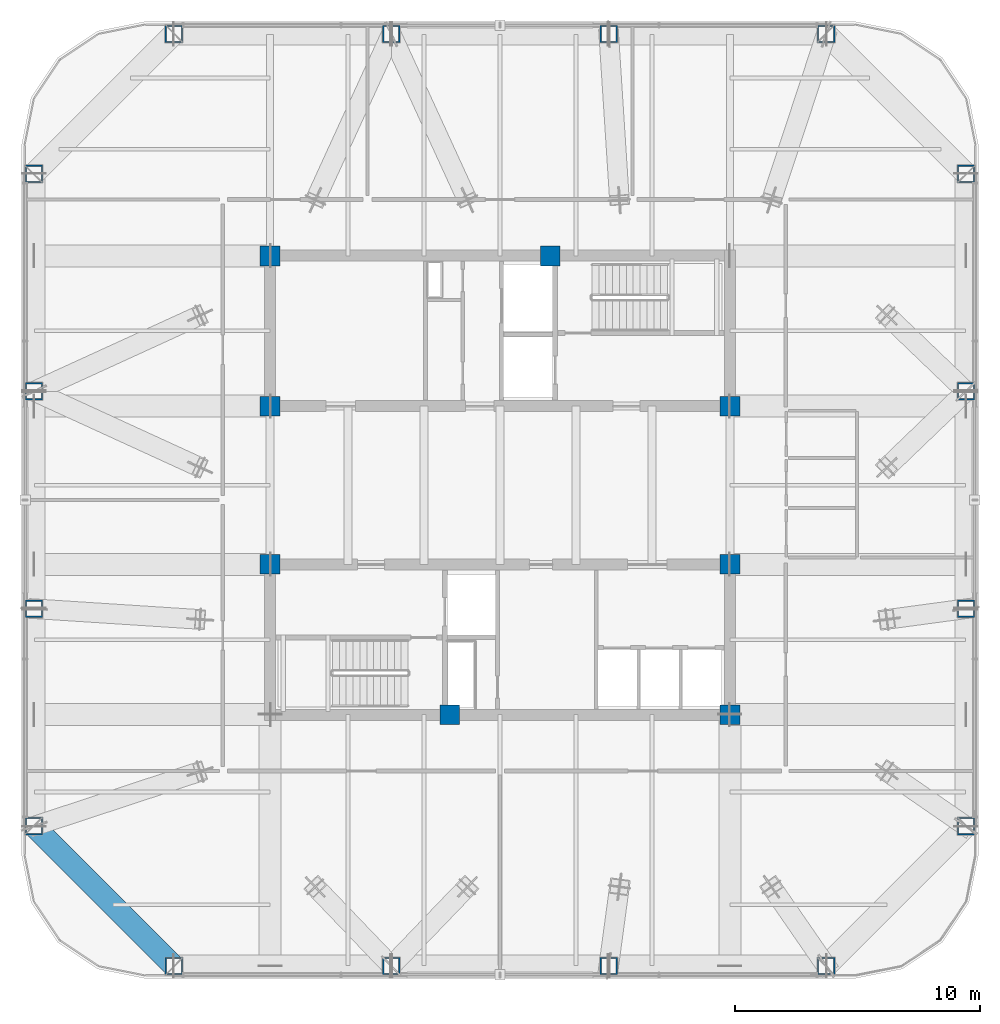
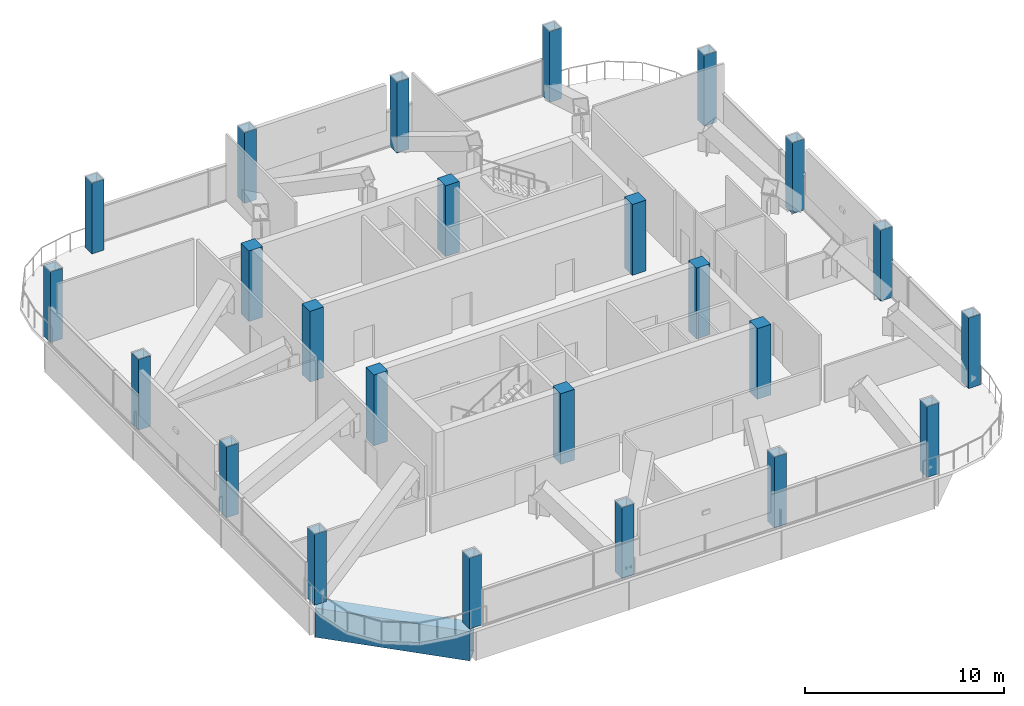
# One storey, part 1 of 19: 24 columns, 1 beam.
"""IFC4 building model written with IfcOpenShell, lengths in metres."""

from ifc_helpers import new_model, si_unit, direction, frame, origin, origin_2d, place, context, subcontext, project, spatial, rectangle, hollow_rectangle, extrude, material, material_profile, profile_set, type_object, element, save


model = new_model("IFC4")

# Units and contexts
model_context = context("Model", 3, precision=1e-05, world=origin(), true_north=direction((0.0, 1.0)))
body_context = subcontext(model_context, "Body", "Model", "MODEL_VIEW")
ifc_project = project(units=[si_unit("LENGTHUNIT", "METRE"), si_unit("AREAUNIT", "SQUARE_METRE"), si_unit("VOLUMEUNIT", "CUBIC_METRE"), si_unit("PLANEANGLEUNIT", "RADIAN"), si_unit("MASSUNIT", "GRAM", prefix="KILO")], contexts=[model_context])

# Site, building, storey
site_placement = place(None, origin())
site = spatial("IfcSite", under=ifc_project, at=site_placement, CompositionType="ELEMENT")
building_placement = place(site_placement, origin())
building = spatial("IfcBuilding", under=site, at=building_placement, Name="Qhalaya Broadcast Tower", CompositionType="ELEMENT")
storey_placement = place(building_placement, frame((0.0, 0.0, 226.949951171875)))
storey = spatial("IfcBuildingStorey", under=building, at=storey_placement, Name="L67", CompositionType="ELEMENT", Elevation=226.949951171875)

# Columns
ifc_material_1 = material(Name="Concrete C50/60", Category="concrete")
ifc_material_profile_1 = material_profile(ifc_material_1, rectangle(XDim=0.800048828125, YDim=0.800048828125, at=origin_2d()), Name="RC-COL 800x800")
ifc_profile_set_1 = profile_set([ifc_material_profile_1], Name="Concrete C50/60")
column_type_1 = type_object("IfcColumnType", Name="RC Upper Column C10", PredefinedType="COLUMN", material=ifc_profile_set_1)
for number, where, z_axis, x_axis, name in (
    (1, (-9.375, 9.949951171875, 0.0), (0.0, 0.0, 1.0), (1.0, 0.0, 0.0), "L67 Column COL-CC1"),
    (2, (2.050048828125, 9.949951171875, 0.0), (0.0, 0.0, 1.0), (1.0, 0.0, 0.0), "L67 Column COL-CC2"),
    (3, (-9.375, 3.824951171875, 0.0), (0.0, 0.0, 1.0), (1.0, 0.0, 0.0), "L67 Column COL-CC3"),
    (4, (9.375, 3.824951171875, 0.0), (0.0, 0.0, 1.0), (1.0, 0.0, 0.0), "L67 Column COL-CC4"),
    (5, (-9.375, -2.625, 0.0), (0.0, 0.0, 1.0), (1.0, 0.0, 0.0), "L67 Column COL-CC5"),
    (6, (9.375, -2.625, 0.0), (0.0, 0.0, 1.0), (1.0, 0.0, 0.0), "L67 Column COL-CC6"),
    (7, (-2.050048828125, -8.75, 0.0), (0.0, 0.0, 1.0), (1.0, 0.0, 0.0), "L67 Column COL-CC7"),
    (8, (9.375, -8.75, 0.0), (0.0, 0.0, 1.0), (1.0, 0.0, 0.0), "L67 Column COL-CC8"),
):
    element("IfcColumn", number, at=place(storey_placement, frame(where, z_axis=z_axis, x_axis=x_axis)), inside=storey, type_object=column_type_1, Name=name, PredefinedType="COLUMN", context=body_context, shape_type="SweptSolid", body=[
        extrude(rectangle(XDim=0.800048828125, YDim=0.800048828125, at=origin_2d()), origin(), (0.0, 0.0, 1.0), 4.35009765625),
    ])
ifc_material_2 = material(Name="Structural Steel ASTM A572 Grade 50", Category="steel")
ifc_material_profile_2 = material_profile(ifc_material_2, hollow_rectangle(XDim=0.699951171875, YDim=0.699951171875, WallThickness=0.044921875, at=origin_2d()), Name="BOX 700x700x45")
ifc_profile_set_2 = profile_set([ifc_material_profile_2], Name="Structural Steel ASTM A572 Grade 50")
column_type_2 = type_object("IfcColumnType", Name="Steel Box Column C04", PredefinedType="COLUMN", material=ifc_profile_set_2)
for number, where, z_axis, x_axis, name in (
    (9, (-13.300048828125, -19.0, 0.0), (0.0, 0.0, 1.0), (1.0, 0.0, 0.0), "L67 Column COL-EX01"),
    (10, (-4.433349609375, -19.0, 0.0), (0.0, 0.0, 1.0), (1.0, 0.0, 0.0), "L67 Column COL-EX02"),
    (11, (4.433349609375, -19.0, 0.0), (0.0, 0.0, 1.0), (1.0, 0.0, 0.0), "L67 Column COL-EX03"),
    (12, (13.300048828125, -19.0, 0.0), (0.0, 0.0, 1.0), (1.0, 0.0, 0.0), "L67 Column COL-EX04"),
    (13, (19.0, -13.300048828125, 0.0), (0.0, 0.0, 1.0), (0.0, 1.0, 0.0), "L67 Column COL-EX05"),
    (14, (19.0, -4.433349609375, 0.0), (0.0, 0.0, 1.0), (0.0, 1.0, 0.0), "L67 Column COL-EX06"),
    (15, (19.0, 4.433349609375, 0.0), (0.0, 0.0, 1.0), (0.0, 1.0, 0.0), "L67 Column COL-EX07"),
    (16, (19.0, 13.300048828125, 0.0), (0.0, 0.0, 1.0), (0.0, 1.0, 0.0), "L67 Column COL-EX08"),
    (17, (13.300048828125, 19.0, 0.0), (0.0, 0.0, 1.0), (1.0, 0.0, 0.0), "L67 Column COL-EX09"),
    (18, (4.433349609375, 19.0, 0.0), (0.0, 0.0, 1.0), (1.0, 0.0, 0.0), "L67 Column COL-EX10"),
    (19, (-4.433349609375, 19.0, 0.0), (0.0, 0.0, 1.0), (1.0, 0.0, 0.0), "L67 Column COL-EX11"),
    (20, (-13.300048828125, 19.0, 0.0), (0.0, 0.0, 1.0), (1.0, 0.0, 0.0), "L67 Column COL-EX12"),
    (21, (-19.0, 13.300048828125, 0.0), (0.0, 0.0, 1.0), (0.0, 1.0, 0.0), "L67 Column COL-EX13"),
    (22, (-19.0, 4.433349609375, 0.0), (0.0, 0.0, 1.0), (0.0, 1.0, 0.0), "L67 Column COL-EX14"),
    (23, (-19.0, -4.433349609375, 0.0), (0.0, 0.0, 1.0), (0.0, 1.0, 0.0), "L67 Column COL-EX15"),
    (24, (-19.0, -13.300048828125, 0.0), (0.0, 0.0, 1.0), (0.0, 1.0, 0.0), "L67 Column COL-EX16"),
):
    element("IfcColumn", number, at=place(storey_placement, frame(where, z_axis=z_axis, x_axis=x_axis)), inside=storey, type_object=column_type_2, Name=name, PredefinedType="COLUMN", context=body_context, shape_type="SweptSolid", body=[
        extrude(hollow_rectangle(XDim=0.699951171875, YDim=0.699951171875, WallThickness=0.044921875, at=origin_2d()), origin(), (0.0, 0.0, 1.0), 4.35009765625),
    ])

# Beam
ifc_material_profile_3 = material_profile(ifc_material_2, hollow_rectangle(XDim=0.89990234375, YDim=1.800048828125, WallThickness=0.06005859375, at=origin_2d()), Name="BOX 900x1800x60")
ifc_profile_set_3 = profile_set([ifc_material_profile_3], Name="Structural Steel ASTM A572 Grade 50")
beam_type = type_object("IfcBeamType", Name="Block Cantilever Transfer Box Girder TG1", PredefinedType="USERDEFINED", material=ifc_profile_set_3)
beam_placement = place(storey_placement, frame((-19.0, -13.300048828125, -1.08984375), z_axis=(0.707106781187, -0.707106781187, 0.0), x_axis=(0.707106781187, 0.707106781187, 0.0)))
element("IfcBeam", 25, at=beam_placement, inside=storey, type_object=beam_type, Name="L67 TG1 L67-SPR-16", ObjectType="GIRDER", PredefinedType="USERDEFINED", context=body_context, shape_type="SweptSolid", body=[
    extrude(hollow_rectangle(XDim=0.89990234375, YDim=1.800048828125, WallThickness=0.06005859375, at=origin_2d()), origin(), (0.0, 0.0, 1.0), 8.06103515625),
])

save(model, "model.ifc")
